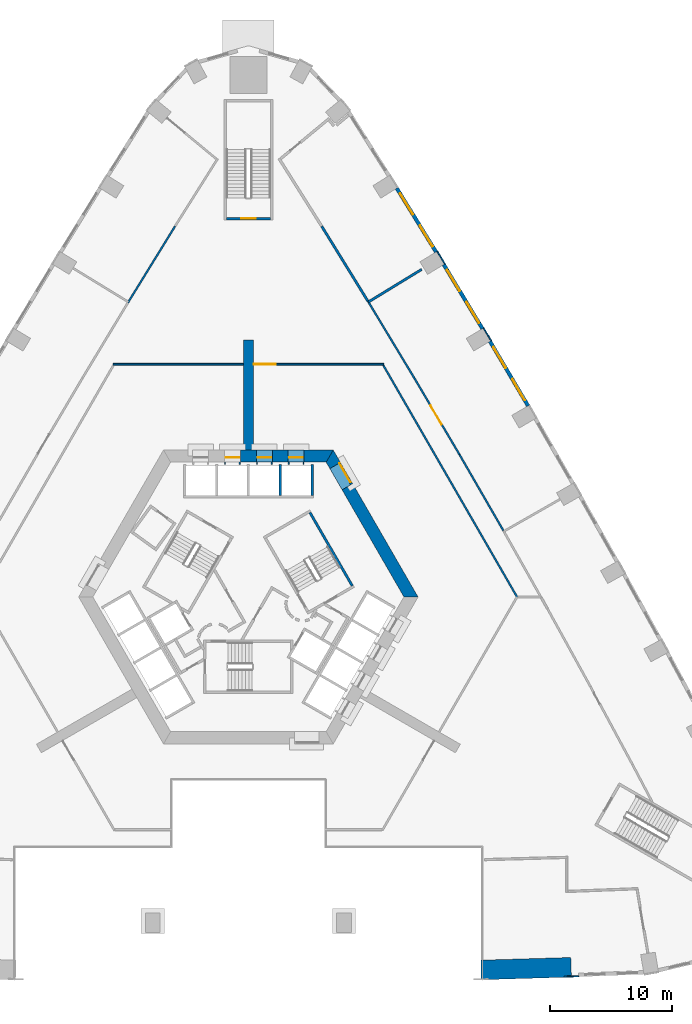
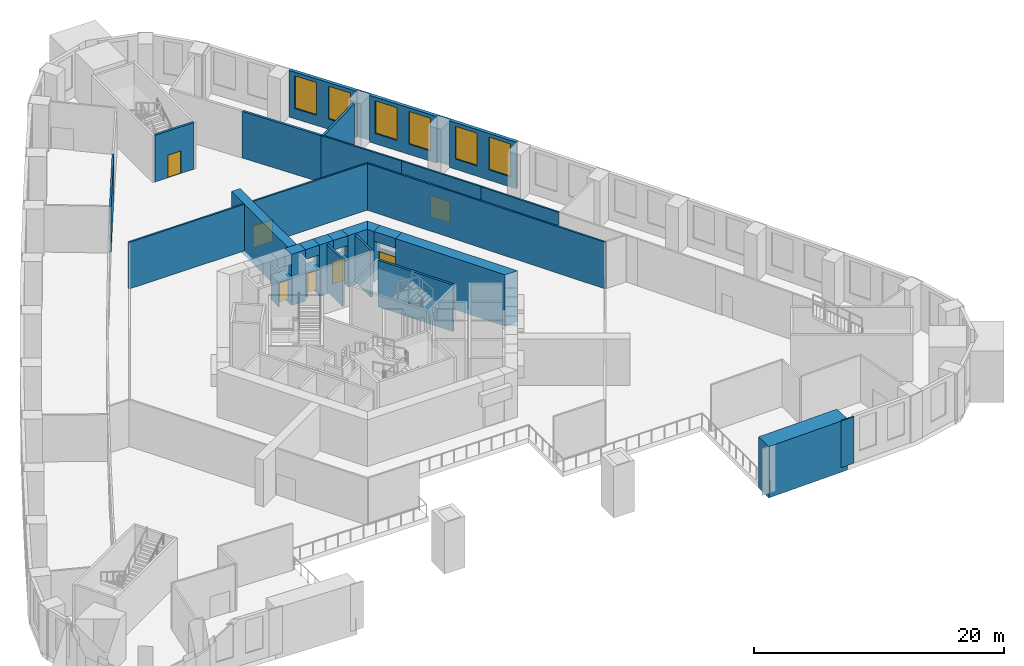
# One storey, part 6 of 16: 33 walls, 7 doors, 6 windows, 13 openings.
"""IFC4 building model written with IfcOpenShell, lengths in metres."""

from ifc_helpers import new_model, si_unit, direction, frame, frame_2d, origin, place, context, subcontext, project, spatial, polyline, rectangle, outline, extrude, material, layer, layer_set, type_object, element, fill, save


model = new_model("IFC4")

# Units and contexts
model_context = context("Model", 3, precision=1e-05, world=origin(), true_north=direction((0.0, 1.0)))
body_context = subcontext(model_context, "Body", "Model", "MODEL_VIEW")
ifc_project = project(units=[si_unit("LENGTHUNIT", "METRE"), si_unit("AREAUNIT", "SQUARE_METRE"), si_unit("VOLUMEUNIT", "CUBIC_METRE"), si_unit("PLANEANGLEUNIT", "RADIAN"), si_unit("MASSUNIT", "GRAM", prefix="KILO")], contexts=[model_context])

# Site, building, storey
site_placement = place(None, origin())
site = spatial("IfcSite", under=ifc_project, at=site_placement, CompositionType="ELEMENT")
building_placement = place(site_placement, origin())
building = spatial("IfcBuilding", under=site, at=building_placement, Name="Entoto Arch Interchange Tower", CompositionType="ELEMENT")
storey_placement = place(building_placement, frame((0.0, 0.0, 20.0)))
storey = spatial("IfcBuildingStorey", under=building, at=storey_placement, Name="L03", CompositionType="ELEMENT", Elevation=20.0)

# Walls
ifc_material_1 = material(Name="Concrete C60/75", Category="concrete")
ifc_layer_1 = layer(ifc_material_1, 1.60009765625)
ifc_layer_set_1 = layer_set([ifc_layer_1], Name="Concrete C60/75")
wall_type_1 = type_object("IfcWallType", Name="Arch leg wall 1600 C60/75", PredefinedType="SHEAR", material=ifc_layer_set_1)
wall_1_placement = place(storey_placement, frame((0.0, 0.0, -0.449951171875)))
element("IfcWall", 1, at=wall_1_placement, inside=storey, type_object=wall_type_1, Name="Arch leg E L03", PredefinedType="SHEAR", context=body_context, shape_type="SweptSolid", body=[
    extrude(outline(polyline([(19.0, -28.761962890625), (26.376953125, -28.5400390625), (26.321044921875, -26.94091796875), (18.97607421875, -27.162109375), (19.0, -28.761962890625)])), origin(), (0.0, 0.0, 1.0), 5.0),
])
ifc_layer_2 = layer(ifc_material_1, 0.800048828125)
ifc_layer_set_2 = layer_set([ifc_layer_2], Name="Concrete C60/75")
wall_type_2 = type_object("IfcWallType", Name="Buttress wall 800 C60/75", PredefinedType="SHEAR", material=ifc_layer_set_2)
wall_2_placement = place(storey_placement, frame((0.0, 14.5, -0.449951171875), z_axis=(0.0, 0.0, 1.0), x_axis=(0.0, 1.0, 0.0)))
element("IfcWall", 2, at=wall_2_placement, inside=storey, type_object=wall_type_2, Name="Buttress wall N L03", PredefinedType="SHEAR", context=body_context, shape_type="SweptSolid", body=[
    extrude(rectangle(XDim=9.0, YDim=0.800048828125, at=frame_2d((4.5, 0.0))), origin(), (0.0, 0.0, 1.0), 5.0),
])

# Wall, opening, door
ifc_material_2 = material(Name="Reinforced concrete C40/50", Category="concrete")
ifc_layer_3 = layer(ifc_material_2, 0.199951171875)
ifc_layer_set_3 = layer_set([ifc_layer_3], Name="Reinforced concrete C40/50")
wall_type_3 = type_object("IfcWallType", Name="CORE GAP INFILL WALL", PredefinedType="PARTITIONING", material=ifc_layer_set_3)
wall_3_placement = place(storey_placement, frame((8.429931640625, 11.697998046875, 0.0), z_axis=(0.0, 0.0, 1.0), x_axis=(-0.50002537861, 0.866010750942, 0.0)))
wall_3 = element("IfcWall", 3, at=wall_3_placement, inside=storey, type_object=wall_type_3, Name="wall:L03:gap2", PredefinedType="PARTITIONING", context=body_context, shape_type="SweptSolid", body=[
    extrude(rectangle(XDim=2.0, YDim=0.199951171875, at=frame_2d((1.0, 0.0))), origin(), (0.0, 0.0, 1.0), 2.39990234375),
])
opening_1_placement = place(wall_3_placement, frame((0.18994140625, 0.0, 0.0)))
opening_1 = element("IfcOpeningElement", 4, at=opening_1_placement, cuts=wall_3, Name="Opening L03-D92", PredefinedType="OPENING", context=body_context, shape_type="SweptSolid", body=[
    extrude(rectangle(XDim=1.800048828125, YDim=2.10009765625, at=frame_2d((0.89990234375, 1.050048828125))), frame((0.0, 0.10986328125, 0.0), z_axis=(0.0, -1.0, 0.0), x_axis=(1.0, 0.0, 0.0)), (0.0, 0.0, 1.0), 0.219970703125),
])
ifc_material_3 = material(Name="Fire-rated Steel S235 door and frame", Category="steel")
door_type_1 = type_object("IfcDoorType", Name="DOOR FD-18 1800x2100", OperationType="DOUBLE_DOOR_SINGLE_SWING", PredefinedType="DOOR", material=ifc_material_3)
door_1_placement = place(opening_1_placement, origin())
door_1 = element("IfcDoor", 5, at=door_1_placement, inside=storey, type_object=door_type_1, Name="door:L03:gap2", OperationType="DOUBLE_DOOR_SINGLE_SWING", OverallHeight=2.10009765625, OverallWidth=1.800048828125, PredefinedType="DOOR", context=body_context, shape_type="SweptSolid", body=[
    extrude(rectangle(XDim=1.800048828125, YDim=2.10009765625, at=frame_2d((0.89990234375, 1.050048828125))), frame((0.0, 0.02490234375, 0.0), z_axis=(0.0, -1.0, 0.0), x_axis=(1.0, 0.0, 0.0)), (0.0, 0.0, 1.0), 0.050048828125),
])
fill(opening_1, door_1)

# Walls
ifc_layer_4 = layer(ifc_material_1, 1.0)
ifc_layer_set_4 = layer_set([ifc_layer_4], Name="Concrete C60/75")
wall_type_4 = type_object("IfcWallType", Name="Core wall 1000 C60/75", PredefinedType="SHEAR", material=ifc_layer_set_4)
wall_4_placement = place(storey_placement, frame((0.0, 0.0, -0.449951171875)))
element("IfcWall", 6, at=wall_4_placement, inside=storey, type_object=wall_type_4, Name="Core wall NE L03", PredefinedType="SHEAR", context=body_context, shape_type="SweptSolid", body=[
    extrude(outline(polyline([(8.51708984375, 11.748046875), (7.65087890625, 11.248046875), (12.701904296875, 2.5), (13.85595703125, 2.5), (8.51708984375, 11.748046875)])), origin(), (0.0, 0.0, 1.0), 5.0),
])
wall_5_placement = place(storey_placement, frame((0.0, 0.0, -0.449951171875)))
element("IfcWall", 7, at=wall_5_placement, inside=storey, type_object=wall_type_4, Name="Core wall NE L03", PredefinedType="SHEAR", context=body_context, shape_type="SweptSolid", body=[
    extrude(outline(polyline([(6.65087890625, 12.97998046875), (7.51708984375, 13.47998046875), (6.927978515625, 14.5), (6.35107421875, 13.5), (6.65087890625, 12.97998046875)])), origin(), (0.0, 0.0, 1.0), 5.0),
])
wall_6_placement = place(storey_placement, frame((0.0, 0.0, 3.60009765625)))
element("IfcWall", 8, at=wall_6_placement, inside=storey, type_object=wall_type_4, Name="Core wall lintel NE L03", PredefinedType="SHEAR", context=body_context, shape_type="SweptSolid", body=[
    extrude(outline(polyline([(7.51708984375, 13.47998046875), (6.65087890625, 12.97998046875), (7.65087890625, 11.248046875), (8.51708984375, 11.748046875), (7.51708984375, 13.47998046875)])), origin(), (0.0, 0.0, 1.0), 0.949951171875),
])
wall_7_placement = place(storey_placement, frame((0.0, 0.0, -0.449951171875)))
element("IfcWall", 9, at=wall_7_placement, inside=storey, type_object=wall_type_4, Name="Core wall N L03", PredefinedType="SHEAR", context=body_context, shape_type="SweptSolid", body=[
    extrude(outline(polyline([(4.550048828125, 14.5), (4.550048828125, 13.5), (6.35107421875, 13.5), (6.927978515625, 14.5), (4.550048828125, 14.5)])), origin(), (0.0, 0.0, 1.0), 5.0),
])
wall_8_placement = place(storey_placement, frame((0.0, 0.0, -0.449951171875)))
element("IfcWall", 10, at=wall_8_placement, inside=storey, type_object=wall_type_4, Name="Core wall N L03", PredefinedType="SHEAR", context=body_context, shape_type="SweptSolid", body=[
    extrude(outline(polyline([(1.949951171875, 14.5), (1.949951171875, 13.5), (3.25, 13.5), (3.25, 14.5), (1.949951171875, 14.5)])), origin(), (0.0, 0.0, 1.0), 5.0),
])
wall_9_placement = place(storey_placement, frame((0.0, 0.0, -0.449951171875)))
element("IfcWall", 11, at=wall_9_placement, inside=storey, type_object=wall_type_4, Name="Core wall N L03", PredefinedType="SHEAR", context=body_context, shape_type="SweptSolid", body=[
    extrude(outline(polyline([(-0.64990234375, 14.5), (-0.64990234375, 13.5), (0.64990234375, 13.5), (0.64990234375, 14.5), (-0.64990234375, 14.5)])), origin(), (0.0, 0.0, 1.0), 5.0),
])
wall_10_placement = place(storey_placement, frame((0.0, 0.0, 3.60009765625)))
element("IfcWall", 12, at=wall_10_placement, inside=storey, type_object=wall_type_4, Name="Core wall lintel N L03", PredefinedType="SHEAR", context=body_context, shape_type="SweptSolid", body=[
    extrude(outline(polyline([(3.25, 14.5), (3.25, 13.5), (4.550048828125, 13.5), (4.550048828125, 14.5), (3.25, 14.5)])), origin(), (0.0, 0.0, 1.0), 0.949951171875),
])
wall_11_placement = place(storey_placement, frame((0.0, 0.0, 3.60009765625)))
element("IfcWall", 13, at=wall_11_placement, inside=storey, type_object=wall_type_4, Name="Core wall lintel N L03", PredefinedType="SHEAR", context=body_context, shape_type="SweptSolid", body=[
    extrude(outline(polyline([(0.64990234375, 14.5), (0.64990234375, 13.5), (1.949951171875, 13.5), (1.949951171875, 14.5), (0.64990234375, 14.5)])), origin(), (0.0, 0.0, 1.0), 0.949951171875),
])

# Wall, opening, door
ifc_material_4 = material(Name="Concrete C40/50", Category="concrete")
ifc_layer_5 = layer(ifc_material_4, 1.199951171875)
ifc_layer_set_5 = layer_set([ifc_layer_5], Name="Concrete C40/50")
wall_type_5 = type_object("IfcWallType", Name="LIFT LANDING INFILL WALL", PredefinedType="STANDARD", material=ifc_layer_set_5)
wall_12_placement = place(storey_placement, frame((4.550048828125, 13.89990234375, 0.0), z_axis=(0.0, 0.0, 1.0), x_axis=(-1.0, 0.0, 0.0)))
wall_12 = element("IfcWall", 14, at=wall_12_placement, inside=storey, type_object=wall_type_5, Name="Lift landing infill wall LR1 L03", PredefinedType="STANDARD", context=body_context, shape_type="SweptSolid", body=[
    extrude(rectangle(XDim=1.300048828125, YDim=1.199951171875, at=frame_2d((0.64990234375, 0.0))), origin(), (0.0, 0.0, 1.0), 2.39990234375),
])
opening_2_placement = place(wall_12_placement, frame((0.10009765625, 0.0, 0.0)))
opening_2 = element("IfcOpeningElement", 15, at=opening_2_placement, cuts=wall_12, Name="Opening LD-LR1-L03", PredefinedType="OPENING", context=body_context, shape_type="SweptSolid", body=[
    extrude(rectangle(XDim=1.10009765625, YDim=2.300048828125, at=frame_2d((0.550048828125, 1.14990234375))), frame((0.0, 0.60986328125, 0.0), z_axis=(0.0, -1.0, 0.0), x_axis=(1.0, 0.0, 0.0)), (0.0, 0.0, 1.0), 1.219970703125),
])
ifc_material_5 = material(Name="Stainless steel 1.4301 panels", Category="steel")
door_type_2 = type_object("IfcDoorType", Name="LIFT LANDING DOOR LD2 1100x2300", OperationType="SLIDING_TO_LEFT", PredefinedType="DOOR", material=ifc_material_5)
door_2_placement = place(opening_2_placement, origin())
door_2 = element("IfcDoor", 16, at=door_2_placement, inside=storey, type_object=door_type_2, Name="Lift landing door LR1 L03", OperationType="SLIDING_TO_LEFT", OverallHeight=2.300048828125, OverallWidth=1.10009765625, PredefinedType="DOOR", context=body_context, shape_type="SweptSolid", body=[
    extrude(rectangle(XDim=1.10009765625, YDim=2.300048828125, at=frame_2d((0.550048828125, 1.14990234375))), frame((0.0, 0.02490234375, 0.0), z_axis=(0.0, -1.0, 0.0), x_axis=(1.0, 0.0, 0.0)), (0.0, 0.0, 1.0), 0.050048828125),
])
fill(opening_2, door_2)

wall_13_placement = place(storey_placement, frame((1.949951171875, 13.89990234375, 0.0), z_axis=(0.0, 0.0, 1.0), x_axis=(-1.0, 0.0, 0.0)))
wall_13 = element("IfcWall", 17, at=wall_13_placement, inside=storey, type_object=wall_type_5, Name="Lift landing infill wall LR2 L03", PredefinedType="STANDARD", context=body_context, shape_type="SweptSolid", body=[
    extrude(rectangle(XDim=1.300048828125, YDim=1.199951171875, at=frame_2d((0.64990234375, 0.0))), origin(), (0.0, 0.0, 1.0), 2.39990234375),
])
opening_3_placement = place(wall_13_placement, frame((0.10009765625, 0.0, 0.0)))
opening_3 = element("IfcOpeningElement", 18, at=opening_3_placement, cuts=wall_13, Name="Opening LD-LR2-L03", PredefinedType="OPENING", context=body_context, shape_type="SweptSolid", body=[
    extrude(rectangle(XDim=1.10009765625, YDim=2.300048828125, at=frame_2d((0.550048828125, 1.14990234375))), frame((0.0, 0.60986328125, 0.0), z_axis=(0.0, -1.0, 0.0), x_axis=(1.0, 0.0, 0.0)), (0.0, 0.0, 1.0), 1.219970703125),
])
door_3_placement = place(opening_3_placement, origin())
door_3 = element("IfcDoor", 19, at=door_3_placement, inside=storey, type_object=door_type_2, Name="Lift landing door LR2 L03", OperationType="SLIDING_TO_LEFT", OverallHeight=2.300048828125, OverallWidth=1.10009765625, PredefinedType="DOOR", context=body_context, shape_type="SweptSolid", body=[
    extrude(rectangle(XDim=1.10009765625, YDim=2.300048828125, at=frame_2d((0.550048828125, 1.14990234375))), frame((0.0, 0.02490234375, 0.0), z_axis=(0.0, -1.0, 0.0), x_axis=(1.0, 0.0, 0.0)), (0.0, 0.0, 1.0), 0.050048828125),
])
fill(opening_3, door_3)

wall_14_placement = place(storey_placement, frame((-0.64990234375, 13.89990234375, 0.0), z_axis=(0.0, 0.0, 1.0), x_axis=(-1.0, 0.0, 0.0)))
wall_14 = element("IfcWall", 20, at=wall_14_placement, inside=storey, type_object=wall_type_5, Name="Lift landing infill wall LR3 L03", PredefinedType="STANDARD", context=body_context, shape_type="SweptSolid", body=[
    extrude(rectangle(XDim=1.300048828125, YDim=1.199951171875, at=frame_2d((0.64990234375, 0.0))), origin(), (0.0, 0.0, 1.0), 2.39990234375),
])
opening_4_placement = place(wall_14_placement, frame((0.10009765625, 0.0, 0.0)))
opening_4 = element("IfcOpeningElement", 21, at=opening_4_placement, cuts=wall_14, Name="Opening LD-LR3-L03", PredefinedType="OPENING", context=body_context, shape_type="SweptSolid", body=[
    extrude(rectangle(XDim=1.10009765625, YDim=2.300048828125, at=frame_2d((0.550048828125, 1.14990234375))), frame((0.0, 0.60986328125, 0.0), z_axis=(0.0, -1.0, 0.0), x_axis=(1.0, 0.0, 0.0)), (0.0, 0.0, 1.0), 1.219970703125),
])
door_4_placement = place(opening_4_placement, origin())
door_4 = element("IfcDoor", 22, at=door_4_placement, inside=storey, type_object=door_type_2, Name="Lift landing door LR3 L03", OperationType="SLIDING_TO_LEFT", OverallHeight=2.300048828125, OverallWidth=1.10009765625, PredefinedType="DOOR", context=body_context, shape_type="SweptSolid", body=[
    extrude(rectangle(XDim=1.10009765625, YDim=2.300048828125, at=frame_2d((0.550048828125, 1.14990234375))), frame((0.0, 0.02490234375, 0.0), z_axis=(0.0, -1.0, 0.0), x_axis=(1.0, 0.0, 0.0)), (0.0, 0.0, 1.0), 0.050048828125),
])
fill(opening_4, door_4)

# Walls
ifc_layer_6 = layer(ifc_material_4, 0.199951171875)
ifc_layer_set_6 = layer_set([ifc_layer_6], Name="Concrete C40/50")
wall_type_6 = type_object("IfcWallType", Name="LIFT SHAFT WALL 200", PredefinedType="STANDARD", material=ifc_layer_set_6)
for number, where, z_axis, x_axis, name in (
    (23, (5.199951171875, 10.800048828125, 0.0), (0.0, 0.0, 1.0), (0.0, 1.0, 0.0), "Shaft wall N3 cross 1"),
    (24, (2.60009765625, 10.800048828125, 0.0), (0.0, 0.0, 1.0), (0.0, 1.0, 0.0), "Shaft wall N3 cross 2"),
):
    element("IfcWall", number, at=place(storey_placement, frame(where, z_axis=z_axis, x_axis=x_axis)), inside=storey, type_object=wall_type_6, Name=name, PredefinedType="STANDARD", context=body_context, shape_type="SweptSolid", body=[
        extrude(rectangle(XDim=2.5, YDim=0.199951171875, at=frame_2d((1.25, 0.0))), origin(), (0.0, 0.0, 1.0), 4.550048828125),
    ])
ifc_material_6 = material(Name="Gypsum board partition on steel studs", Category="steel")
ifc_layer_7 = layer(ifc_material_6, 0.14990234375)
ifc_layer_set_7 = layer_set([ifc_layer_7], Name="Gypsum board partition on steel studs")
wall_type_7 = type_object("IfcWallType", Name="PARTITION 150", PredefinedType="PARTITIONING", material=ifc_layer_set_7)
wall_15_placement = place(storey_placement, frame((20.820068359375, 7.9189453125, 0.0), z_axis=(0.0, 0.0, 1.0), x_axis=(-0.49986672167, 0.866102338391, 0.0)))
element("IfcWall", 25, at=wall_15_placement, inside=storey, type_object=wall_type_7, Name="wall:L03:p048", PredefinedType="PARTITIONING", context=body_context, shape_type="SweptSolid", body=[
    extrude(rectangle(XDim=7.17822265625, YDim=0.14990234375, at=frame_2d((3.589111328125, 0.0))), origin(), (0.0, 0.0, 1.0), 4.550048828125),
])

# Wall, opening, door
wall_16_placement = place(storey_placement, frame((17.23193359375, 14.135986328125, 0.0), z_axis=(0.0, 0.0, 1.0), x_axis=(-0.508434454558, 0.861100694122, 0.0)))
wall_16 = element("IfcWall", 26, at=wall_16_placement, inside=storey, type_object=wall_type_7, Name="wall:L03:p049", PredefinedType="PARTITIONING", context=body_context, shape_type="SweptSolid", body=[
    extrude(rectangle(XDim=7.253662109375, YDim=0.14990234375, at=frame_2d((3.626953125, 0.0))), origin(), (0.0, 0.0, 1.0), 4.550048828125),
])
opening_5_placement = place(wall_16_placement, frame((2.84912109375, 0.0, 0.0)))
opening_5 = element("IfcOpeningElement", 27, at=opening_5_placement, cuts=wall_16, Name="Opening L03-D07", PredefinedType="OPENING", context=body_context, shape_type="SweptSolid", body=[
    extrude(rectangle(XDim=1.800048828125, YDim=2.10009765625, at=frame_2d((0.89990234375, 1.050048828125))), frame((0.0, 0.0849609375, 0.0), z_axis=(0.0, -1.0, 0.0), x_axis=(1.0, 0.0, 0.0)), (0.0, 0.0, 1.0), 0.169921875),
])
ifc_material_7 = material(Name="Timber door leaf in Steel S235 frame", Category="steel")
door_type_3 = type_object("IfcDoorType", Name="DOOR DD-18 1800x2100", OperationType="DOUBLE_DOOR_SINGLE_SWING", PredefinedType="DOOR", material=ifc_material_7)
door_5_placement = place(opening_5_placement, origin())
door_5 = element("IfcDoor", 28, at=door_5_placement, inside=storey, type_object=door_type_3, Name="door:L03:07", OperationType="DOUBLE_DOOR_SINGLE_SWING", OverallHeight=2.10009765625, OverallWidth=1.800048828125, PredefinedType="DOOR", context=body_context, shape_type="SweptSolid", body=[
    extrude(rectangle(XDim=1.800048828125, YDim=2.10009765625, at=frame_2d((0.89990234375, 1.050048828125))), frame((0.0, 0.02490234375, 0.0), z_axis=(0.0, -1.0, 0.0), x_axis=(1.0, 0.0, 0.0)), (0.0, 0.0, 1.0), 0.050048828125),
])
fill(opening_5, door_5)

# Walls
wall_17_placement = place(storey_placement, frame((13.5439453125, 20.382080078125, 0.0), z_axis=(0.0, 0.0, 1.0), x_axis=(-0.516527204033, 0.856270779306, 0.0)))
element("IfcWall", 29, at=wall_17_placement, inside=storey, type_object=wall_type_7, Name="wall:L03:p050", PredefinedType="PARTITIONING", context=body_context, shape_type="SweptSolid", body=[
    extrude(rectangle(XDim=7.346923828125, YDim=0.14990234375, at=frame_2d((3.67333984375, 0.0))), origin(), (0.0, 0.0, 1.0), 4.550048828125),
])
wall_18_placement = place(storey_placement, frame((-5.989990234375, 32.76708984375, 0.0), z_axis=(0.0, 0.0, 1.0), x_axis=(-0.524805430661, -0.851222215376, 0.0)))
element("IfcWall", 30, at=wall_18_placement, inside=storey, type_object=wall_type_7, Name="wall:L03:p058", PredefinedType="PARTITIONING", context=body_context, shape_type="SweptSolid", body=[
    extrude(rectangle(XDim=7.328369140625, YDim=0.14990234375, at=frame_2d((3.6640625, 0.0))), origin(), (0.0, 0.0, 1.0), 4.550048828125),
])
wall_19_placement = place(storey_placement, frame((-11.044921875, 21.5, 0.0), z_axis=(0.0, 0.0, 1.0), x_axis=(1.0, 0.0, 0.0)))
element("IfcWall", 31, at=wall_19_placement, inside=storey, type_object=wall_type_7, Name="wall:L03:p074", PredefinedType="PARTITIONING", context=body_context, shape_type="SweptSolid", body=[
    extrude(rectangle(XDim=10.64501953125, YDim=0.14990234375, at=frame_2d((5.322509765625, 0.0))), origin(), (0.0, 0.0, 1.0), 4.550048828125),
])
wall_20_placement = place(storey_placement, frame((11.007080078125, 21.43505859375, 0.0), z_axis=(0.0, 0.0, 1.0), x_axis=(0.499977403953, -0.866038449225, 0.0)))
element("IfcWall", 32, at=wall_20_placement, inside=storey, type_object=wall_type_7, Name="wall:L03:p075", PredefinedType="PARTITIONING", context=body_context, shape_type="SweptSolid", body=[
    extrude(rectangle(XDim=21.93896484375, YDim=0.14990234375, at=frame_2d((10.969482421875, 0.0))), origin(), (0.0, 0.0, 1.0), 4.550048828125),
])

# Wall, opening, door
wall_21_placement = place(storey_placement, frame((0.39990234375, 21.5, 0.0), z_axis=(0.0, 0.0, 1.0), x_axis=(1.0, 0.0, 0.0)))
wall_21 = element("IfcWall", 33, at=wall_21_placement, inside=storey, type_object=wall_type_7, Name="wall:L03:p074", PredefinedType="PARTITIONING", context=body_context, shape_type="SweptSolid", body=[
    extrude(rectangle(XDim=10.64501953125, YDim=0.14990234375, at=frame_2d((5.322509765625, 0.0))), origin(), (0.0, 0.0, 1.0), 4.550048828125),
])
opening_6_placement = place(wall_21_placement, frame((0.02099609375, 0.0, 0.0)))
opening_6 = element("IfcOpeningElement", 34, at=opening_6_placement, cuts=wall_21, Name="Opening L03-D03", PredefinedType="OPENING", context=body_context, shape_type="SweptSolid", body=[
    extrude(rectangle(XDim=1.800048828125, YDim=2.10009765625, at=frame_2d((0.89990234375, 1.050048828125))), frame((0.0, 0.0849609375, 0.0), z_axis=(0.0, -1.0, 0.0), x_axis=(1.0, 0.0, 0.0)), (0.0, 0.0, 1.0), 0.169921875),
])
door_6_placement = place(opening_6_placement, origin())
door_6 = element("IfcDoor", 35, at=door_6_placement, inside=storey, type_object=door_type_1, Name="door:L03:03", OperationType="DOUBLE_DOOR_SINGLE_SWING", OverallHeight=2.10009765625, OverallWidth=1.800048828125, PredefinedType="DOOR", context=body_context, shape_type="SweptSolid", body=[
    extrude(rectangle(XDim=1.800048828125, YDim=2.10009765625, at=frame_2d((0.89990234375, 1.050048828125))), frame((0.0, 0.02490234375, 0.0), z_axis=(0.0, -1.0, 0.0), x_axis=(1.0, 0.0, 0.0)), (0.0, 0.0, 1.0), 0.050048828125),
])
fill(opening_6, door_6)

# Walls
ifc_layer_8 = layer(ifc_material_6, 0.199951171875)
ifc_layer_set_8 = layer_set([ifc_layer_8], Name="Gypsum board partition on steel studs")
wall_type_8 = type_object("IfcWallType", Name="PARTITION 200", PredefinedType="PARTITIONING", material=ifc_layer_set_8)
wall_22_placement = place(storey_placement, frame((9.801025390625, 26.5869140625, 0.0), z_axis=(0.0, 0.0, 1.0), x_axis=(0.853180048432, 0.521616530564, 0.0)))
element("IfcWall", 36, at=wall_22_placement, inside=storey, type_object=wall_type_8, Name="wall:L03:p047", PredefinedType="PARTITIONING", context=body_context, shape_type="SweptSolid", body=[
    extrude(rectangle(XDim=5.099853515625, YDim=0.199951171875, at=frame_2d((2.5498046875, 0.0))), origin(), (0.0, 0.0, 1.0), 4.550048828125),
])
wall_23_placement = place(storey_placement, frame((9.748046875, 26.672119140625, 0.0), z_axis=(0.0, 0.0, 1.0), x_axis=(-0.52483723921, 0.851202603578, 0.0)))
element("IfcWall", 37, at=wall_23_placement, inside=storey, type_object=wall_type_8, Name="wall:L03:p055", PredefinedType="PARTITIONING", context=body_context, shape_type="SweptSolid", body=[
    extrude(rectangle(XDim=7.160400390625, YDim=0.199951171875, at=frame_2d((3.580078125, 0.0))), origin(), (0.0, 0.0, 1.0), 4.550048828125),
])
ifc_layer_9 = layer(ifc_material_4, 0.199951171875)
ifc_layer_set_9 = layer_set([ifc_layer_9], Name="Concrete C40/50")
wall_type_9 = type_object("IfcWallType", Name="STAIR ENCLOSURE WALL 200", PredefinedType="STANDARD", material=ifc_layer_set_9)
wall_24_placement = place(storey_placement, frame((8.47998046875, 3.412109375, 0.0), z_axis=(0.0, 0.0, 1.0), x_axis=(-0.499978703459, 0.866037698999, 0.0)))
element("IfcWall", 38, at=wall_24_placement, inside=storey, type_object=wall_type_9, Name="Stair wall ST-NE back", PredefinedType="STANDARD", context=body_context, shape_type="SweptSolid", body=[
    extrude(rectangle(XDim=6.900146484375, YDim=0.199951171875, at=frame_2d((3.4501953125, 0.0))), origin(), (0.0, 0.0, 1.0), 4.550048828125),
])

# Wall, opening, door
wall_25_placement = place(storey_placement, frame((1.800048828125, 33.39990234375, 0.0), z_axis=(0.0, 0.0, 1.0), x_axis=(-1.0, 0.0, 0.0)))
wall_25 = element("IfcWall", 39, at=wall_25_placement, inside=storey, type_object=wall_type_9, Name="Stair wall PST-N near", PredefinedType="STANDARD", context=body_context, shape_type="SweptSolid", body=[
    extrude(rectangle(XDim=3.60009765625, YDim=0.199951171875, at=frame_2d((1.800048828125, 0.0))), origin(), (0.0, 0.0, 1.0), 4.550048828125),
])
opening_7_placement = place(wall_25_placement, frame((1.199951171875, 0.0, 0.0)))
opening_7 = element("IfcOpeningElement", 40, at=opening_7_placement, cuts=wall_25, Name="Opening SD-PST-N-L03", PredefinedType="OPENING", context=body_context, shape_type="SweptSolid", body=[
    extrude(rectangle(XDim=1.199951171875, YDim=2.199951171875, at=frame_2d((0.60009765625, 1.10009765625))), frame((0.0, 0.10986328125, 0.0), z_axis=(0.0, -1.0, 0.0), x_axis=(1.0, 0.0, 0.0)), (0.0, 0.0, 1.0), 0.219970703125),
])
ifc_material_8 = material(Name="Steel S235", Category="steel")
door_type_4 = type_object("IfcDoorType", Name="STAIR DOOR SD2 1200x2200", OperationType="SINGLE_SWING_LEFT", PredefinedType="DOOR", material=ifc_material_8)
door_7_placement = place(opening_7_placement, origin())
door_7 = element("IfcDoor", 41, at=door_7_placement, inside=storey, type_object=door_type_4, Name="Stair door PST-N L03", OperationType="SINGLE_SWING_LEFT", OverallHeight=2.199951171875, OverallWidth=1.199951171875, PredefinedType="DOOR", context=body_context, shape_type="SweptSolid", body=[
    extrude(rectangle(XDim=1.199951171875, YDim=2.199951171875, at=frame_2d((0.60009765625, 1.10009765625))), frame((0.0, 0.02490234375, 0.0), z_axis=(0.0, -1.0, 0.0), x_axis=(1.0, 0.0, 0.0)), (0.0, 0.0, 1.0), 0.050048828125),
])
fill(opening_7, door_7)

# Wall, openings, windows
ifc_material_9 = material(Name="Welded tuff (ignimbrite) cladding, warm buff", Category="masonry")
ifc_layer_10 = layer(ifc_material_9, 0.300048828125)
ifc_layer_set_10 = layer_set([ifc_layer_10], Name="Welded tuff (ignimbrite) cladding, warm buff")
wall_type_10 = type_object("IfcWallType", Name="STONE INFILL WALL 300", PredefinedType="STANDARD", material=ifc_layer_set_10)
wall_26_placement = place(storey_placement, frame((22.843017578125, 18.10498046875, 0.0), z_axis=(0.0, 0.0, 1.0), x_axis=(-0.50834231483, 0.861155091115, 0.0)))
wall_26 = element("IfcWall", 42, at=wall_26_placement, inside=storey, type_object=wall_type_10, Name="Facade wall NE-06 L03", PredefinedType="STANDARD", context=body_context, shape_type="SweptSolid", body=[
    extrude(rectangle(XDim=6.1220703125, YDim=0.300048828125, at=frame_2d((3.06103515625, 0.0))), origin(), (0.0, 0.0, 1.0), 4.550048828125),
])
opening_8_placement = place(wall_26_placement, frame((0.530029296875, 0.0, 1.0)))
opening_8 = element("IfcOpeningElement", 43, at=opening_8_placement, cuts=wall_26, Name="Opening WP-E", PredefinedType="OPENING", context=body_context, shape_type="SweptSolid", body=[
    extrude(rectangle(XDim=2.0, YDim=3.199951171875, at=frame_2d((1.0, 1.60009765625))), frame((0.0, 0.16015625, 0.0), z_axis=(0.0, -1.0, 0.0), x_axis=(1.0, 0.0, 0.0)), (0.0, 0.0, 1.0), 0.320068359375),
])
opening_9_placement = place(wall_26_placement, frame((3.591064453125, 0.0, 1.0)))
opening_9 = element("IfcOpeningElement", 44, at=opening_9_placement, cuts=wall_26, Name="Opening WP-E", PredefinedType="OPENING", context=body_context, shape_type="SweptSolid", body=[
    extrude(rectangle(XDim=2.0, YDim=3.199951171875, at=frame_2d((1.0, 1.60009765625))), frame((0.0, 0.16015625, 0.0), z_axis=(0.0, -1.0, 0.0), x_axis=(1.0, 0.0, 0.0)), (0.0, 0.0, 1.0), 0.320068359375),
])
ifc_material_10 = material(Name="Clear glass, low-e double glazed", Category="glass")
window_type = type_object("IfcWindowType", Name="WINDOW WP-E 2000x3200", PartitioningType="DOUBLE_PANEL_VERTICAL", PredefinedType="WINDOW", material=ifc_material_10)
window_1_placement = place(opening_8_placement, origin())
window_1 = element("IfcWindow", 45, at=window_1_placement, inside=storey, type_object=window_type, Name="Window WP-E NE-06 L03", OverallHeight=3.199951171875, OverallWidth=2.0, PartitioningType="SINGLE_PANEL", PredefinedType="WINDOW", context=body_context, shape_type="SweptSolid", body=[
    extrude(rectangle(XDim=2.0, YDim=3.199951171875, at=frame_2d((1.0, 1.60009765625))), frame((0.0, 0.030029296875, 0.0), z_axis=(0.0, -1.0, 0.0), x_axis=(1.0, 0.0, 0.0)), (0.0, 0.0, 1.0), 0.06005859375),
])
fill(opening_8, window_1)
window_2_placement = place(opening_9_placement, origin())
window_2 = element("IfcWindow", 46, at=window_2_placement, inside=storey, type_object=window_type, Name="Window WP-E NE-06 L03", OverallHeight=3.199951171875, OverallWidth=2.0, PartitioningType="SINGLE_PANEL", PredefinedType="WINDOW", context=body_context, shape_type="SweptSolid", body=[
    extrude(rectangle(XDim=2.0, YDim=3.199951171875, at=frame_2d((1.0, 1.60009765625))), frame((0.0, 0.030029296875, 0.0), z_axis=(0.0, -1.0, 0.0), x_axis=(1.0, 0.0, 0.0)), (0.0, 0.0, 1.0), 0.06005859375),
])
fill(opening_9, window_2)

wall_27_placement = place(storey_placement, frame((19.116943359375, 24.406005859375, 0.0), z_axis=(0.0, 0.0, 1.0), x_axis=(-0.516687651362, 0.85617397235, 0.0)))
wall_27 = element("IfcWall", 47, at=wall_27_placement, inside=storey, type_object=wall_type_10, Name="Facade wall NE-07 L03", PredefinedType="STANDARD", context=body_context, shape_type="SweptSolid", body=[
    extrude(rectangle(XDim=6.121337890625, YDim=0.300048828125, at=frame_2d((3.060546875, 0.0))), origin(), (0.0, 0.0, 1.0), 4.550048828125),
])
opening_10_placement = place(wall_27_placement, frame((0.530029296875, 0.0, 1.0)))
opening_10 = element("IfcOpeningElement", 48, at=opening_10_placement, cuts=wall_27, Name="Opening WP-E", PredefinedType="OPENING", context=body_context, shape_type="SweptSolid", body=[
    extrude(rectangle(XDim=2.0, YDim=3.199951171875, at=frame_2d((1.0, 1.60009765625))), frame((0.0, 0.16015625, 0.0), z_axis=(0.0, -1.0, 0.0), x_axis=(1.0, 0.0, 0.0)), (0.0, 0.0, 1.0), 0.320068359375),
])
opening_11_placement = place(wall_27_placement, frame((3.591064453125, 0.0, 1.0)))
opening_11 = element("IfcOpeningElement", 49, at=opening_11_placement, cuts=wall_27, Name="Opening WP-E", PredefinedType="OPENING", context=body_context, shape_type="SweptSolid", body=[
    extrude(rectangle(XDim=2.0, YDim=3.199951171875, at=frame_2d((1.0, 1.60009765625))), frame((0.0, 0.16015625, 0.0), z_axis=(0.0, -1.0, 0.0), x_axis=(1.0, 0.0, 0.0)), (0.0, 0.0, 1.0), 0.320068359375),
])
window_3_placement = place(opening_10_placement, origin())
window_3 = element("IfcWindow", 50, at=window_3_placement, inside=storey, type_object=window_type, Name="Window WP-E NE-07 L03", OverallHeight=3.199951171875, OverallWidth=2.0, PartitioningType="SINGLE_PANEL", PredefinedType="WINDOW", context=body_context, shape_type="SweptSolid", body=[
    extrude(rectangle(XDim=2.0, YDim=3.199951171875, at=frame_2d((1.0, 1.60009765625))), frame((0.0, 0.030029296875, 0.0), z_axis=(0.0, -1.0, 0.0), x_axis=(1.0, 0.0, 0.0)), (0.0, 0.0, 1.0), 0.06005859375),
])
fill(opening_10, window_3)
window_4_placement = place(opening_11_placement, origin())
window_4 = element("IfcWindow", 51, at=window_4_placement, inside=storey, type_object=window_type, Name="Window WP-E NE-07 L03", OverallHeight=3.199951171875, OverallWidth=2.0, PartitioningType="SINGLE_PANEL", PredefinedType="WINDOW", context=body_context, shape_type="SweptSolid", body=[
    extrude(rectangle(XDim=2.0, YDim=3.199951171875, at=frame_2d((1.0, 1.60009765625))), frame((0.0, 0.030029296875, 0.0), z_axis=(0.0, -1.0, 0.0), x_axis=(1.0, 0.0, 0.0)), (0.0, 0.0, 1.0), 0.06005859375),
])
fill(opening_11, window_4)

wall_28_placement = place(storey_placement, frame((15.3310546875, 30.669921875, 0.0), z_axis=(0.0, 0.0, 1.0), x_axis=(-0.524953701886, 0.85113078365, 0.0)))
wall_28 = element("IfcWall", 52, at=wall_28_placement, inside=storey, type_object=wall_type_10, Name="Facade wall NE-08 L03", PredefinedType="STANDARD", context=body_context, shape_type="SweptSolid", body=[
    extrude(rectangle(XDim=6.12255859375, YDim=0.300048828125, at=frame_2d((3.061279296875, 0.0))), origin(), (0.0, 0.0, 1.0), 4.550048828125),
])
opening_12_placement = place(wall_28_placement, frame((0.531005859375, 0.0, 1.0)))
opening_12 = element("IfcOpeningElement", 53, at=opening_12_placement, cuts=wall_28, Name="Opening WP-E", PredefinedType="OPENING", context=body_context, shape_type="SweptSolid", body=[
    extrude(rectangle(XDim=2.0, YDim=3.199951171875, at=frame_2d((1.0, 1.60009765625))), frame((0.0, 0.16015625, 0.0), z_axis=(0.0, -1.0, 0.0), x_axis=(1.0, 0.0, 0.0)), (0.0, 0.0, 1.0), 0.320068359375),
])
opening_13_placement = place(wall_28_placement, frame((3.592041015625, 0.0, 1.0)))
opening_13 = element("IfcOpeningElement", 54, at=opening_13_placement, cuts=wall_28, Name="Opening WP-E", PredefinedType="OPENING", context=body_context, shape_type="SweptSolid", body=[
    extrude(rectangle(XDim=2.0, YDim=3.199951171875, at=frame_2d((1.0, 1.60009765625))), frame((0.0, 0.16015625, 0.0), z_axis=(0.0, -1.0, 0.0), x_axis=(1.0, 0.0, 0.0)), (0.0, 0.0, 1.0), 0.320068359375),
])
window_5_placement = place(opening_12_placement, origin())
window_5 = element("IfcWindow", 55, at=window_5_placement, inside=storey, type_object=window_type, Name="Window WP-E NE-08 L03", OverallHeight=3.199951171875, OverallWidth=2.0, PartitioningType="SINGLE_PANEL", PredefinedType="WINDOW", context=body_context, shape_type="SweptSolid", body=[
    extrude(rectangle(XDim=2.0, YDim=3.199951171875, at=frame_2d((1.0, 1.60009765625))), frame((0.0, 0.030029296875, 0.0), z_axis=(0.0, -1.0, 0.0), x_axis=(1.0, 0.0, 0.0)), (0.0, 0.0, 1.0), 0.06005859375),
])
fill(opening_12, window_5)
window_6_placement = place(opening_13_placement, origin())
window_6 = element("IfcWindow", 56, at=window_6_placement, inside=storey, type_object=window_type, Name="Window WP-E NE-08 L03", OverallHeight=3.199951171875, OverallWidth=2.0, PartitioningType="SINGLE_PANEL", PredefinedType="WINDOW", context=body_context, shape_type="SweptSolid", body=[
    extrude(rectangle(XDim=2.0, YDim=3.199951171875, at=frame_2d((1.0, 1.60009765625))), frame((0.0, 0.030029296875, 0.0), z_axis=(0.0, -1.0, 0.0), x_axis=(1.0, 0.0, 0.0)), (0.0, 0.0, 1.0), 0.06005859375),
])
fill(opening_13, window_6)

# Walls
ifc_layer_11 = layer(ifc_material_9, 0.10009765625)
ifc_layer_set_11 = layer_set([ifc_layer_11], Name="Welded tuff (ignimbrite) cladding, warm buff")
wall_type_11 = type_object("IfcWallType", Name="STONE PIER CLADDING 100", PredefinedType="STANDARD", material=ifc_layer_set_11)
wall_29_placement = place(storey_placement, frame((19.820068359375, 23.428955078125, 0.0), z_axis=(0.0, 0.0, 1.0), x_axis=(-0.513238760752, 0.858245870635, 0.0)))
element("IfcWall", 57, at=wall_29_placement, inside=storey, type_object=wall_type_11, Name="Stone pier NE07 L03", PredefinedType="STANDARD", context=body_context, shape_type="SweptSolid", body=[
    extrude(rectangle(XDim=1.2001953125, YDim=0.10009765625, at=frame_2d((0.60009765625, 0.0))), origin(), (0.0, 0.0, 1.0), 4.550048828125),
])
wall_30_placement = place(storey_placement, frame((16.04296875, 29.699951171875, 0.0), z_axis=(0.0, 0.0, 1.0), x_axis=(-0.521507599072, 0.853246637327, 0.0)))
element("IfcWall", 58, at=wall_30_placement, inside=storey, type_object=wall_type_11, Name="Stone pier NE08 L03", PredefinedType="STANDARD", context=body_context, shape_type="SweptSolid", body=[
    extrude(rectangle(XDim=1.200439453125, YDim=0.10009765625, at=frame_2d((0.60009765625, 0.0))), origin(), (0.0, 0.0, 1.0), 4.550048828125),
])
wall_31_placement = place(storey_placement, frame((25.77587890625, -28.510986328125, 0.0), z_axis=(0.0, 0.0, 1.0), x_axis=(0.999387493042, 0.034994838926, 0.0)))
element("IfcWall", 59, at=wall_31_placement, inside=storey, type_object=wall_type_11, Name="Stone pier S05 L03", PredefinedType="STANDARD", context=body_context, shape_type="SweptSolid", body=[
    extrude(rectangle(XDim=1.199951171875, YDim=0.10009765625, at=frame_2d((0.60009765625, 0.0))), origin(), (0.0, 0.0, 1.0), 4.550048828125),
])

save(model, "model.ifc")
